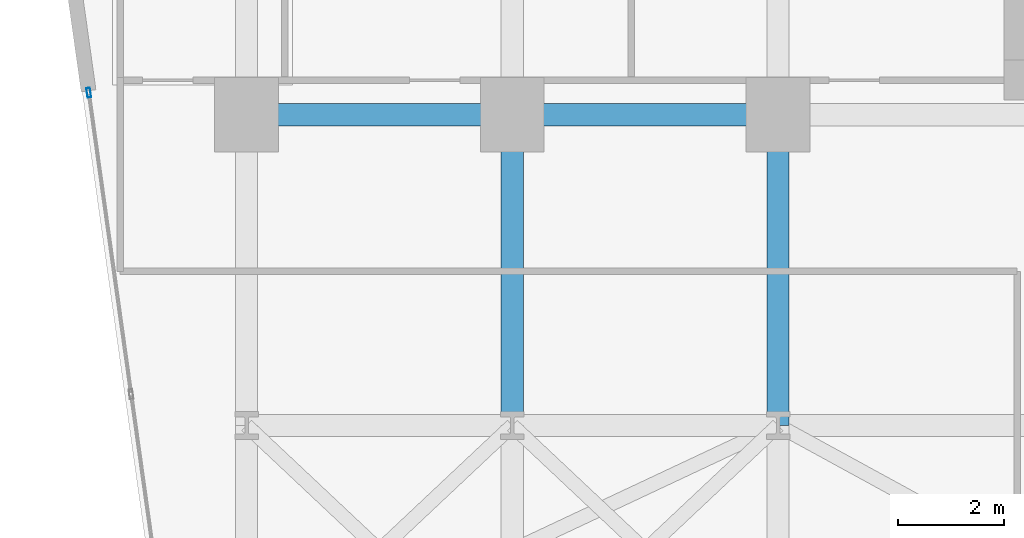
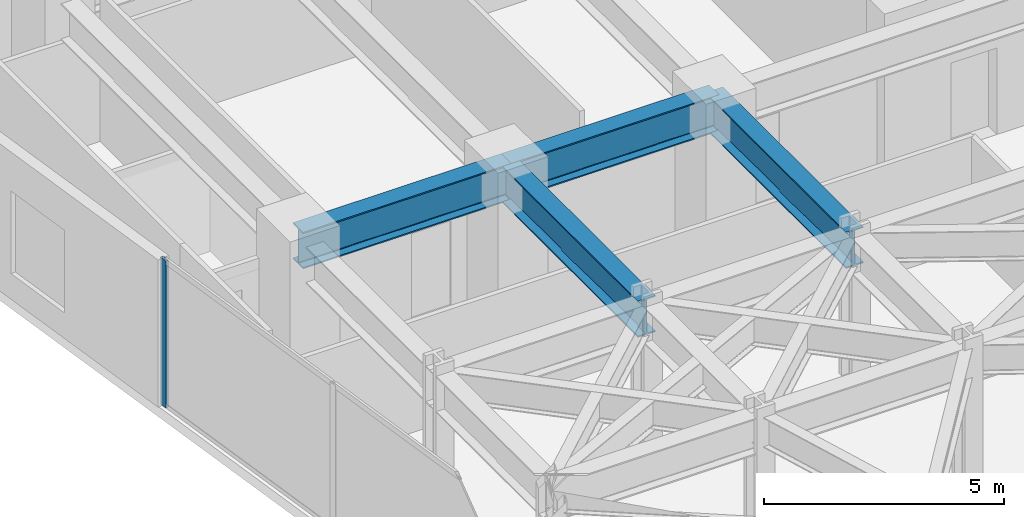
# One storey, part 17 of 24: 4 beams, 1 member, 1 element without a shape of its own.
"""IFC4 building model written with IfcOpenShell, lengths in metres."""

from ifc_helpers import new_model, si_unit, direction, frame, origin, origin_2d, place, context, subcontext, project, spatial, hollow_rectangle, i_section, extrude, material, layer, layer_set, material_profile, profile_set, type_object, element, aggregate, save


model = new_model("IFC4")

# Units and contexts
model_context = context("Model", 3, precision=1e-05, world=origin(), true_north=direction((0.0, 1.0)))
body_context = subcontext(model_context, "Body", "Model", "MODEL_VIEW")
ifc_project = project(units=[si_unit("LENGTHUNIT", "METRE"), si_unit("AREAUNIT", "SQUARE_METRE"), si_unit("VOLUMEUNIT", "CUBIC_METRE"), si_unit("PLANEANGLEUNIT", "RADIAN"), si_unit("MASSUNIT", "GRAM", prefix="KILO")], contexts=[model_context])

# Site, building, storey
site_placement = place(None, origin())
site = spatial("IfcSite", under=ifc_project, at=site_placement, CompositionType="ELEMENT")
building_placement = place(site_placement, origin())
building = spatial("IfcBuilding", under=site, at=building_placement, Name="Kravanh Interchange Tower", CompositionType="ELEMENT")
storey_placement = place(building_placement, frame((0.0, 0.0, 45.5)))
storey = spatial("IfcBuildingStorey", under=building, at=storey_placement, Name="L10", CompositionType="ELEMENT", Elevation=45.5)

# Curtain wall, member
ifc_material_1 = material(Name="Anodised Bronze Aluminium", Category="aluminium")
ifc_layer = layer(ifc_material_1, 0.179931640625)
ifc_layer_set = layer_set([ifc_layer], Name="Unitised Curtain Wall System CW-Z1 Lower Office")
curtain_wall_type = type_object("IfcCurtainWallType", Name="Unitised Curtain Wall System CW-Z1 Lower Office", PredefinedType="NOTDEFINED", material=ifc_layer_set)
curtain_wall_placement = place(storey_placement, origin())
curtain_wall = element("IfcCurtainWall", 1, at=curtain_wall_placement, inside=storey, type_object=curtain_wall_type, Name="L10 Unitised Curtain Wall CW-L10-01", PredefinedType="NOTDEFINED")
ifc_material_2 = material(Name="Anodised Bronze Aluminium", Category="aluminium")
ifc_material_profile_1 = material_profile(ifc_material_2, hollow_rectangle(XDim=0.070068359375, YDim=0.179931640625, WallThickness=0.00390625, at=origin_2d()), Name="ALU70X180X4")
ifc_profile_set_1 = profile_set([ifc_material_profile_1], Name="Anodised Bronze Aluminium")
member_type = type_object("IfcMemberType", Name="Curtain Wall Mullion ALU70X180X4 Bronze", PredefinedType="MULLION", material=ifc_profile_set_1)
member_placement = place(storey_placement, frame((5.6298828125, 37.765380859375, 0.0), z_axis=(0.0, 0.0, 1.0), x_axis=(-0.990267585682, -0.139176538065, 0.0)))
member = element("IfcMember", 2, at=member_placement, type_object=member_type, Name="CW-Z1 mullion 7", PredefinedType="MULLION", context=body_context, shape_type="SweptSolid", body=[
    extrude(hollow_rectangle(XDim=0.070068359375, YDim=0.179931640625, WallThickness=0.00390625, at=origin_2d()), origin(), (0.0, 0.0, 1.0), 3.739990234375),
])
aggregate(curtain_wall, [member])

# Beams
ifc_material_3 = material(Name="Structural Steel S355", Category="steel")
ifc_material_profile_2 = material_profile(ifc_material_3, i_section(OverallWidth=0.41796875, OverallDepth=0.927001953125, WebThickness=0.019287109375, FlangeThickness=0.031982421875, FilletRadius=0.028076171875, at=origin_2d()), Name="W36X231")
ifc_profile_set_2 = profile_set([ifc_material_profile_2], Name="Structural Steel S355")
beam_type = type_object("IfcBeamType", Name="Floor Beam W36X231 Structural Steel S355", PredefinedType="BEAM", material=ifc_profile_set_2)
beam_1_placement = place(storey_placement, frame((18.60009765625, 37.35009765625, 3.276611328125), z_axis=(-1.0, 0.0, 0.0), x_axis=(0.0, -1.0, 0.0)))
element("IfcBeam", 3, at=beam_1_placement, inside=storey, type_object=beam_type, Name="L10 Primary Floor Girder 28", PredefinedType="BEAM", context=body_context, shape_type="SweptSolid", body=[
    extrude(i_section(OverallWidth=0.41796875, OverallDepth=0.927001953125, WebThickness=0.019287109375, FlangeThickness=0.031982421875, FilletRadius=0.028076171875, at=origin_2d()), origin(), (0.0, 0.0, 1.0), 5.0),
])
beam_2_placement = place(storey_placement, frame((18.60009765625, 37.35009765625, 3.276611328125), z_axis=(0.0, -1.0, 0.0), x_axis=(1.0, 0.0, 0.0)))
element("IfcBeam", 4, at=beam_2_placement, inside=storey, type_object=beam_type, Name="L10 Primary Floor Girder 29", PredefinedType="BEAM", context=body_context, shape_type="SweptSolid", body=[
    extrude(i_section(OverallWidth=0.41796875, OverallDepth=0.927001953125, WebThickness=0.019287109375, FlangeThickness=0.031982421875, FilletRadius=0.028076171875, at=origin_2d()), origin(), (0.0, 0.0, 1.0), 5.85009765625),
])
beam_3_placement = place(storey_placement, frame((13.60009765625, 37.35009765625, 3.276611328125), z_axis=(-1.0, 0.0, 0.0), x_axis=(0.0, -1.0, 0.0)))
element("IfcBeam", 5, at=beam_3_placement, inside=storey, type_object=beam_type, Name="L10 Primary Floor Girder 32", PredefinedType="BEAM", context=body_context, shape_type="SweptSolid", body=[
    extrude(i_section(OverallWidth=0.41796875, OverallDepth=0.927001953125, WebThickness=0.019287109375, FlangeThickness=0.031982421875, FilletRadius=0.028076171875, at=origin_2d()), origin(), (0.0, 0.0, 1.0), 5.0),
])
beam_4_placement = place(storey_placement, frame((13.60009765625, 37.35009765625, 3.276611328125), z_axis=(0.0, -1.0, 0.0), x_axis=(1.0, 0.0, 0.0)))
element("IfcBeam", 6, at=beam_4_placement, inside=storey, type_object=beam_type, Name="L10 Primary Floor Girder 33", PredefinedType="BEAM", context=body_context, shape_type="SweptSolid", body=[
    extrude(i_section(OverallWidth=0.41796875, OverallDepth=0.927001953125, WebThickness=0.019287109375, FlangeThickness=0.031982421875, FilletRadius=0.028076171875, at=origin_2d()), origin(), (0.0, 0.0, 1.0), 5.85009765625),
])

save(model, "model.ifc")
